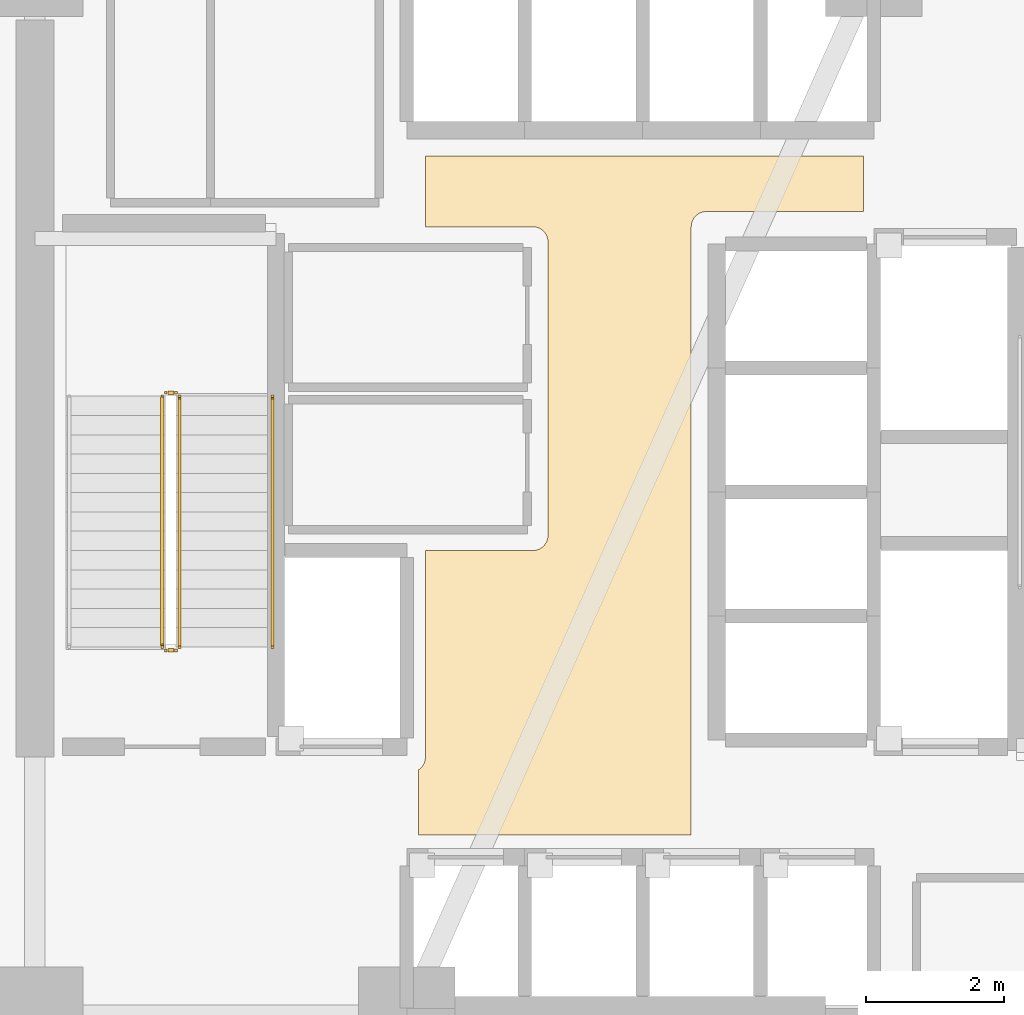
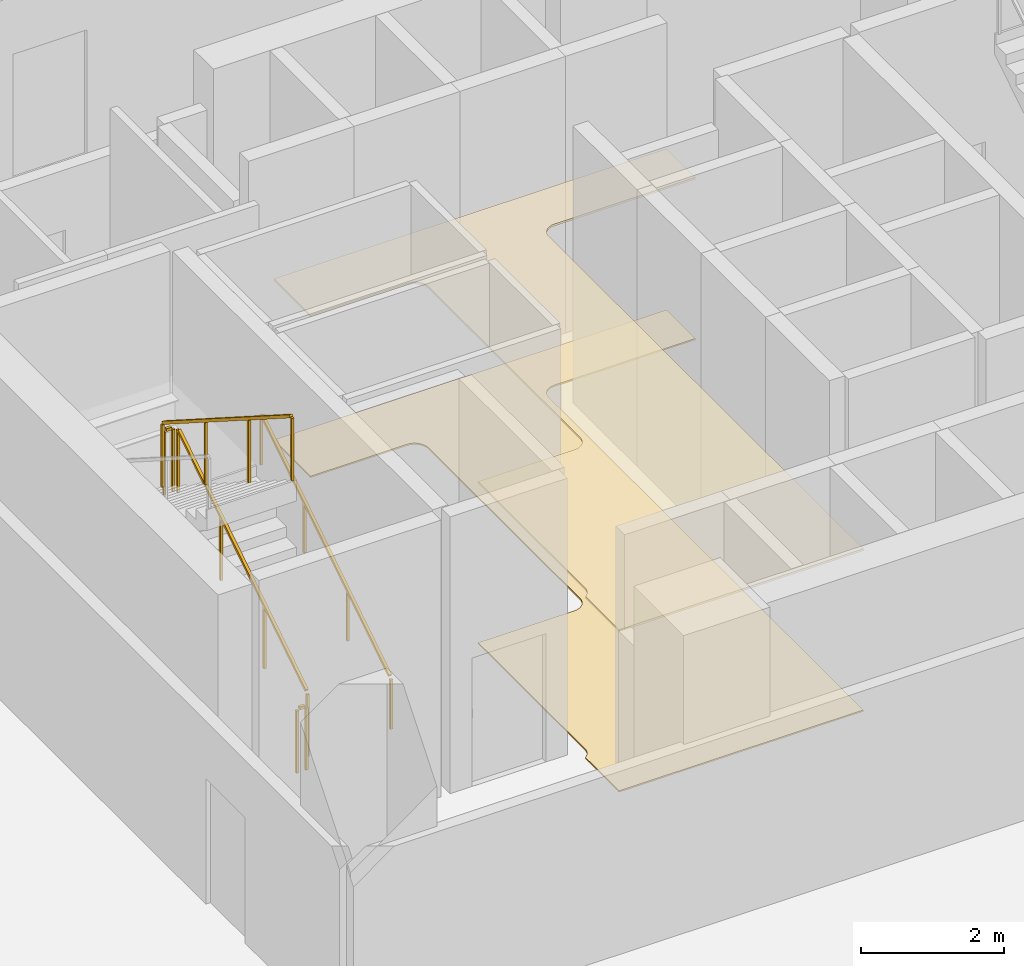
# One storey, part 20 of 24: 5 railings, 2 coverings.
"""IFC4 building model written with IfcOpenShell, lengths in metres."""

from ifc_helpers import new_model, si_unit, direction, frame, origin, origin_2d, place, context, subcontext, project, spatial, polyline, rectangle, outline, extrude, material, layer, layer_set, type_object, element, save


model = new_model("IFC4")

# Units and contexts
model_context = context("Model", 3, precision=1e-05, world=origin(), true_north=direction((0.0, 1.0)))
body_context = subcontext(model_context, "Body", "Model", "MODEL_VIEW")
ifc_project = project(units=[si_unit("LENGTHUNIT", "METRE"), si_unit("AREAUNIT", "SQUARE_METRE"), si_unit("VOLUMEUNIT", "CUBIC_METRE"), si_unit("PLANEANGLEUNIT", "RADIAN"), si_unit("MASSUNIT", "GRAM", prefix="KILO")], contexts=[model_context])

# Site, building, storey
site_placement = place(None, origin())
site = spatial("IfcSite", under=ifc_project, at=site_placement, CompositionType="ELEMENT")
building_placement = place(site_placement, origin())
building = spatial("IfcBuilding", under=site, at=building_placement, Name="Tharavind Bronze Gate", CompositionType="ELEMENT")
storey_placement = place(building_placement, frame((0.0, 0.0, 21.5)))
storey = spatial("IfcBuildingStorey", under=building, at=storey_placement, Name="L04", CompositionType="ELEMENT", Elevation=21.5)

# Coverings
ifc_material_1 = material(Name="Perforated Bronze Acoustic Panel", Category="bronze")
ifc_layer_1 = layer(ifc_material_1, 0.044921875)
ifc_layer_set_1 = layer_set([ifc_layer_1], Name="Perforated Bronze Acoustic Panel")
covering_type_1 = type_object("IfcCoveringType", Name="ACOUSTIC BRONZE BAFFLE CEILING", PredefinedType="CEILING", material=ifc_layer_set_1)
covering_1_placement = place(storey_placement, frame((0.0, 0.0, 2.75)))
element("IfcCovering", 1, at=covering_1_placement, inside=storey, type_object=covering_type_1, Name="L04-C-LL suspended ceiling", PredefinedType="CEILING", context=body_context, shape_type="SweptSolid", body=[
    extrude(outline(polyline([(-3.330078125, -4.97998046875), (0.6298828125, -4.97998046875), (0.6298828125, 3.85009765625), (0.631103515625, 3.87158203125), (0.63427734375, 3.892822265625), (0.639404296875, 3.913818359375), (0.646728515625, 3.93408203125), (0.656005859375, 3.95361328125), (0.6669921875, 3.97216796875), (0.679931640625, 3.989501953125), (0.6943359375, 4.005615234375), (0.71044921875, 4.02001953125), (0.727783203125, 4.032958984375), (0.746337890625, 4.0439453125), (0.765869140625, 4.05322265625), (0.7861328125, 4.060546875), (0.80712890625, 4.06591796875), (0.828369140625, 4.06884765625), (0.85009765625, 4.070068359375), (3.1298828125, 4.070068359375), (3.1298828125, 4.8798828125), (-3.22998046875, 4.8798828125), (-3.22998046875, 3.85009765625), (-1.669921875, 3.85009765625), (-1.6484375, 3.848876953125), (-1.627197265625, 3.845703125), (-1.606201171875, 3.840576171875), (-1.585693359375, 3.833251953125), (-1.56640625, 3.823974609375), (-1.5478515625, 3.81298828125), (-1.530517578125, 3.800048828125), (-1.514404296875, 3.78564453125), (-1.5, 3.76953125), (-1.487060546875, 3.752197265625), (-1.47607421875, 3.733642578125), (-1.466796875, 3.714111328125), (-1.45947265625, 3.69384765625), (-1.4541015625, 3.6728515625), (-1.451171875, 3.651611328125), (-1.449951171875, 3.6298828125), (-1.449951171875, 1.43994140625), (-1.450439453125, 1.429931640625), (-1.449951171875, 1.419921875), (-1.449951171875, -0.6298828125), (-1.451171875, -0.651611328125), (-1.4541015625, -0.6728515625), (-1.45947265625, -0.69384765625), (-1.466796875, -0.714111328125), (-1.47607421875, -0.733642578125), (-1.487060546875, -0.752197265625), (-1.5, -0.76953125), (-1.514404296875, -0.78564453125), (-1.530517578125, -0.800048828125), (-1.5478515625, -0.81298828125), (-1.56640625, -0.823974609375), (-1.585693359375, -0.833251953125), (-1.606201171875, -0.840576171875), (-1.627197265625, -0.845703125), (-1.6484375, -0.848876953125), (-1.669921875, -0.85009765625), (-3.22998046875, -0.85009765625), (-3.22998046875, -3.85009765625), (-3.231201171875, -3.87158203125), (-3.234130859375, -3.892822265625), (-3.239501953125, -3.913818359375), (-3.24658203125, -3.93408203125), (-3.256103515625, -3.95361328125), (-3.26708984375, -3.97216796875), (-3.27978515625, -3.989501953125), (-3.29443359375, -4.005615234375), (-3.310302734375, -4.02001953125), (-3.327880859375, -4.032958984375), (-3.330078125, -4.0341796875), (-3.330078125, -4.97998046875)])), origin(), (0.0, 0.0, 1.0), 0.034912109375),
])
ifc_material_2 = material(Name="Honed Travertine Limestone", Category="masonry")
ifc_layer_2 = layer(ifc_material_2, 0.030029296875)
ifc_layer_set_2 = layer_set([ifc_layer_2], Name="Honed Travertine Limestone")
covering_type_2 = type_object("IfcCoveringType", Name="HONED LIMESTONE FLOORING", PredefinedType="FLOORING", material=ifc_layer_set_2)
covering_2_placement = place(storey_placement, origin())
element("IfcCovering", 2, at=covering_2_placement, inside=storey, type_object=covering_type_2, Name="L04-C-LL floor finish", PredefinedType="FLOORING", context=body_context, shape_type="SweptSolid", body=[
    extrude(outline(polyline([(-3.330078125, -4.97998046875), (0.6298828125, -4.97998046875), (0.6298828125, 3.85009765625), (0.631103515625, 3.87158203125), (0.63427734375, 3.892822265625), (0.639404296875, 3.913818359375), (0.646728515625, 3.93408203125), (0.656005859375, 3.95361328125), (0.6669921875, 3.97216796875), (0.679931640625, 3.989501953125), (0.6943359375, 4.005615234375), (0.71044921875, 4.02001953125), (0.727783203125, 4.032958984375), (0.746337890625, 4.0439453125), (0.765869140625, 4.05322265625), (0.7861328125, 4.060546875), (0.80712890625, 4.06591796875), (0.828369140625, 4.06884765625), (0.85009765625, 4.070068359375), (3.1298828125, 4.070068359375), (3.1298828125, 4.8798828125), (-3.22998046875, 4.8798828125), (-3.22998046875, 3.85009765625), (-1.669921875, 3.85009765625), (-1.6484375, 3.848876953125), (-1.627197265625, 3.845703125), (-1.606201171875, 3.840576171875), (-1.585693359375, 3.833251953125), (-1.56640625, 3.823974609375), (-1.5478515625, 3.81298828125), (-1.530517578125, 3.800048828125), (-1.514404296875, 3.78564453125), (-1.5, 3.76953125), (-1.487060546875, 3.752197265625), (-1.47607421875, 3.733642578125), (-1.466796875, 3.714111328125), (-1.45947265625, 3.69384765625), (-1.4541015625, 3.6728515625), (-1.451171875, 3.651611328125), (-1.449951171875, 3.6298828125), (-1.449951171875, 1.43994140625), (-1.450439453125, 1.429931640625), (-1.449951171875, 1.419921875), (-1.449951171875, -0.6298828125), (-1.451171875, -0.651611328125), (-1.4541015625, -0.6728515625), (-1.45947265625, -0.69384765625), (-1.466796875, -0.714111328125), (-1.47607421875, -0.733642578125), (-1.487060546875, -0.752197265625), (-1.5, -0.76953125), (-1.514404296875, -0.78564453125), (-1.530517578125, -0.800048828125), (-1.5478515625, -0.81298828125), (-1.56640625, -0.823974609375), (-1.585693359375, -0.833251953125), (-1.606201171875, -0.840576171875), (-1.627197265625, -0.845703125), (-1.6484375, -0.848876953125), (-1.669921875, -0.85009765625), (-3.22998046875, -0.85009765625), (-3.22998046875, -3.85009765625), (-3.231201171875, -3.87158203125), (-3.234130859375, -3.892822265625), (-3.239501953125, -3.913818359375), (-3.24658203125, -3.93408203125), (-3.256103515625, -3.95361328125), (-3.26708984375, -3.97216796875), (-3.27978515625, -3.989501953125), (-3.29443359375, -4.005615234375), (-3.310302734375, -4.02001953125), (-3.327880859375, -4.032958984375), (-3.330078125, -4.0341796875), (-3.330078125, -4.97998046875)])), origin(), (0.0, 0.0, 1.0), 0.02490234375),
])

# Railings
ifc_material_3 = material(Name="Brushed Bronze Alloy", Category="metal")
railing_type_1 = type_object("IfcRailingType", Name="STAIR BRONZE HANDRAIL 900", PredefinedType="HANDRAIL", material=ifc_material_3)
railing_1_placement = place(storey_placement, frame((-5.449951171875, -2.25, 0.178466796875)))
element("IfcRailing", 3, at=railing_1_placement, inside=storey, type_object=railing_type_1, Name="L04 ST1 stair handrail 1", PredefinedType="HANDRAIL", context=body_context, shape_type="SweptSolid", body=[
    extrude(rectangle(XDim=0.048095703125, YDim=0.048095703125, at=origin_2d()), frame((0.0, 0.027099609375, 0.89306640625), z_axis=(0.0, 0.843111507901, 0.53773877045), x_axis=(-1.0, 0.0, 0.0)), (0.0, 0.0, 1.0), 4.253173828125),
    extrude(rectangle(XDim=0.0400390625, YDim=0.0400390625, at=origin_2d()), origin(), (0.0, 0.0, 1.0), 0.847900390625),
    extrude(rectangle(XDim=0.0400390625, YDim=0.0400390625, at=origin_2d()), frame((0.0, 1.21337890625, 0.77392578125)), (0.0, 0.0, 1.0), 0.847900390625),
    extrude(rectangle(XDim=0.0400390625, YDim=0.0400390625, at=origin_2d()), frame((0.0, 2.426513671875, 1.547607421875)), (0.0, 0.0, 1.0), 0.847900390625),
    extrude(rectangle(XDim=0.0400390625, YDim=0.0400390625, at=origin_2d()), frame((0.0, 3.639892578125, 2.321533203125)), (0.0, 0.0, 1.0), 0.847900390625),
])
railing_type_2 = type_object("IfcRailingType", Name="STAIR WELL GUARD RAILING 1120", PredefinedType="GUARDRAIL", material=ifc_material_3)
railing_2_placement = place(storey_placement, frame((-6.800048828125, -2.25, 0.178466796875)))
element("IfcRailing", 4, at=railing_2_placement, inside=storey, type_object=railing_type_2, Name="L04 ST1 stair guard 1", PredefinedType="GUARDRAIL", context=body_context, shape_type="SweptSolid", body=[
    extrude(rectangle(XDim=0.048095703125, YDim=0.048095703125, at=origin_2d()), frame((0.0, 0.027099609375, 1.11328125), z_axis=(0.0, 0.843111507901, 0.53773877045), x_axis=(-1.0, 0.0, 0.0)), (0.0, 0.0, 1.0), 4.253173828125),
    extrude(rectangle(XDim=0.0400390625, YDim=0.0400390625, at=origin_2d()), origin(), (0.0, 0.0, 1.0), 1.068115234375),
    extrude(rectangle(XDim=0.0400390625, YDim=0.0400390625, at=origin_2d()), frame((0.0, 1.21337890625, 0.77392578125)), (0.0, 0.0, 1.0), 1.068115234375),
    extrude(rectangle(XDim=0.0400390625, YDim=0.0400390625, at=origin_2d()), frame((0.0, 2.426513671875, 1.547607421875)), (0.0, 0.0, 1.0), 1.068115234375),
    extrude(rectangle(XDim=0.0400390625, YDim=0.0400390625, at=origin_2d()), frame((0.0, 3.639892578125, 2.321533203125)), (0.0, 0.0, 1.0), 1.068115234375),
])
railing_3_placement = place(storey_placement, frame((-6.85009765625, 1.43994140625, 2.5)))
element("IfcRailing", 5, at=railing_3_placement, inside=storey, type_object=railing_type_2, Name="L04 ST1 stair guard 2", PredefinedType="GUARDRAIL", context=body_context, shape_type="SweptSolid", body=[
    extrude(rectangle(XDim=0.048095703125, YDim=0.048095703125, at=origin_2d()), frame((-0.031982421875, 0.0, 1.09619140625), z_axis=(-1.0, 0.0, 0.0), x_axis=(0.0, -1.0, 0.0)), (0.0, 0.0, 1.0), 0.0859375),
    extrude(rectangle(XDim=0.0400390625, YDim=0.0400390625, at=origin_2d()), origin(), (0.0, 0.0, 1.0), 1.068115234375),
    extrude(rectangle(XDim=0.0400390625, YDim=0.0400390625, at=origin_2d()), frame((-0.14990234375, 0.0, 0.0)), (0.0, 0.0, 1.0), 1.068115234375),
])
railing_4_placement = place(storey_placement, frame((-7.050048828125, 1.389892578125, 2.678466796875)))
element("IfcRailing", 6, at=railing_4_placement, inside=storey, type_object=railing_type_2, Name="L04 ST1 stair guard 3", PredefinedType="GUARDRAIL", context=body_context, shape_type="SweptSolid", body=[
    extrude(rectangle(XDim=0.048095703125, YDim=0.048095703125, at=origin_2d()), frame((0.0, -0.027099609375, 1.11328125), z_axis=(0.0, -0.843111507901, 0.53773877045), x_axis=(1.0, 0.0, 0.0)), (0.0, 0.0, 1.0), 4.253173828125),
    extrude(rectangle(XDim=0.0400390625, YDim=0.0400390625, at=origin_2d()), origin(), (0.0, 0.0, 1.0), 1.068115234375),
    extrude(rectangle(XDim=0.0400390625, YDim=0.0400390625, at=origin_2d()), frame((0.0, -1.21337890625, 0.77392578125)), (0.0, 0.0, 1.0), 1.068115234375),
    extrude(rectangle(XDim=0.0400390625, YDim=0.0400390625, at=origin_2d()), frame((0.0, -2.426513671875, 1.547607421875)), (0.0, 0.0, 1.0), 1.068115234375),
    extrude(rectangle(XDim=0.0400390625, YDim=0.0400390625, at=origin_2d()), frame((0.0, -3.639892578125, 2.321533203125)), (0.0, 0.0, 1.0), 1.068115234375),
])
railing_5_placement = place(storey_placement, frame((-6.85009765625, -2.300048828125, 0.0)))
element("IfcRailing", 7, at=railing_5_placement, inside=storey, type_object=railing_type_2, Name="L04 ST1 stair guard 4", PredefinedType="GUARDRAIL", context=body_context, shape_type="SweptSolid", body=[
    extrude(rectangle(XDim=0.048095703125, YDim=0.048095703125, at=origin_2d()), frame((-0.031982421875, 0.0, 1.09619140625), z_axis=(-1.0, 0.0, 0.0), x_axis=(0.0, -1.0, 0.0)), (0.0, 0.0, 1.0), 0.0859375),
    extrude(rectangle(XDim=0.0400390625, YDim=0.0400390625, at=origin_2d()), origin(), (0.0, 0.0, 1.0), 1.068115234375),
    extrude(rectangle(XDim=0.0400390625, YDim=0.0400390625, at=origin_2d()), frame((-0.14990234375, 0.0, 0.0)), (0.0, 0.0, 1.0), 1.068115234375),
])

save(model, "model.ifc")
